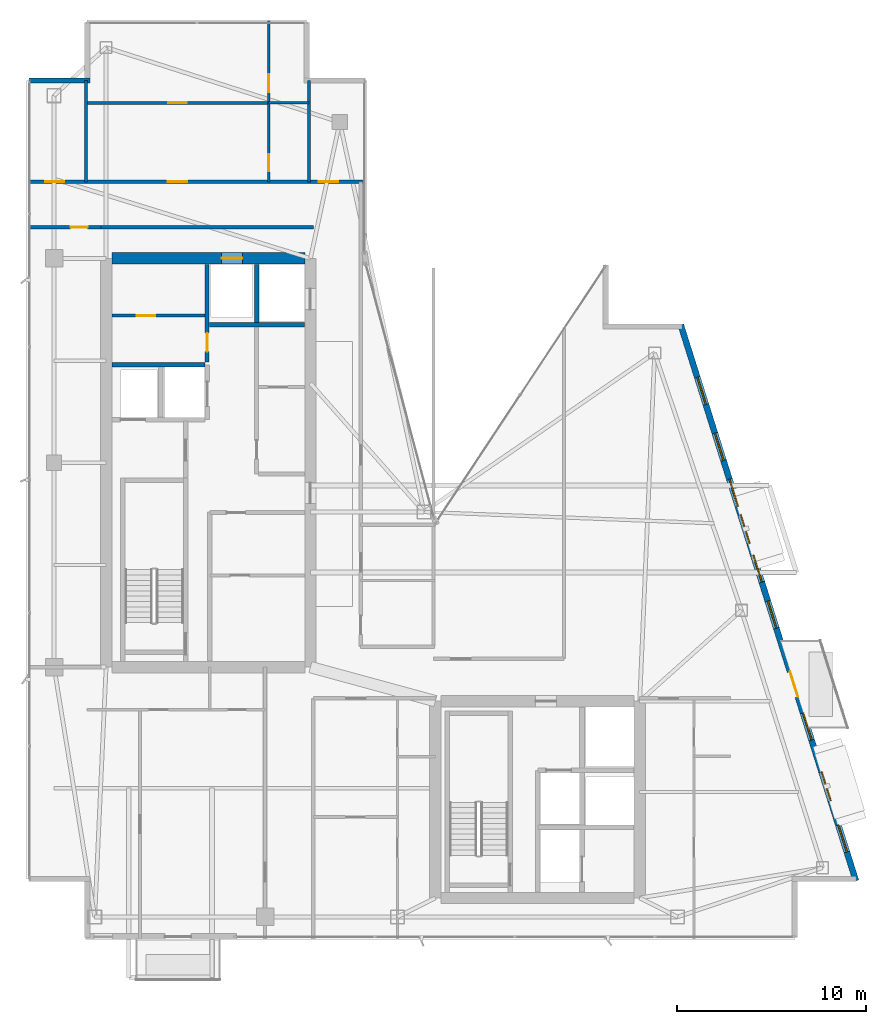
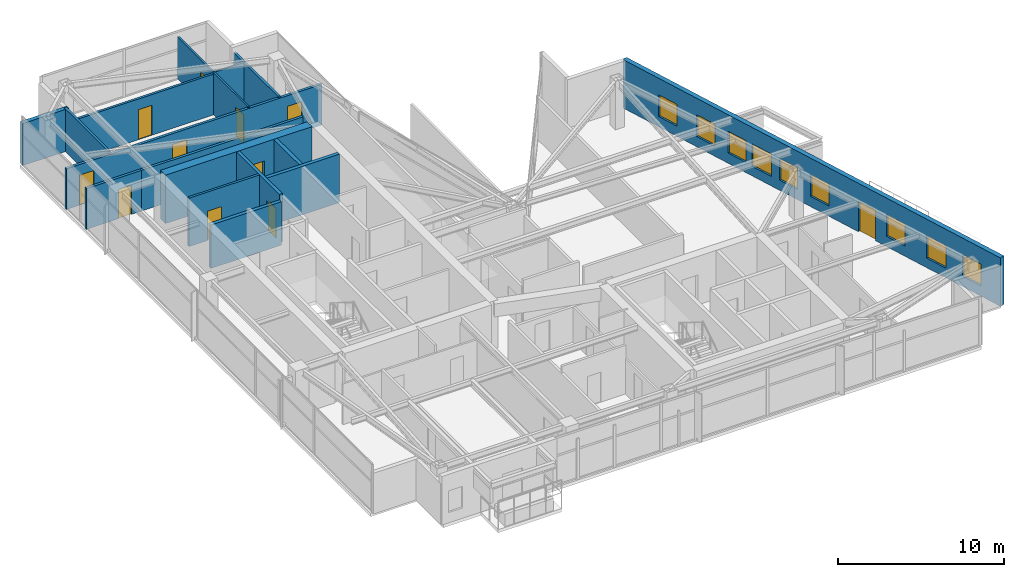
# One storey, part 25 of 28: 16 walls, 11 doors, 9 windows, 20 openings.
"""IFC4 building model written with IfcOpenShell, lengths in metres."""

from ifc_helpers import new_model, si_unit, direction, frame, frame_2d, origin, place, context, subcontext, project, spatial, rectangle, extrude, material, layer, layer_set, type_object, element, fill, save


model = new_model("IFC4")

# Units and contexts
model_context = context("Model", 3, precision=1e-05, world=origin(), true_north=direction((0.0, 1.0)))
body_context = subcontext(model_context, "Body", "Model", "MODEL_VIEW")
ifc_project = project(units=[si_unit("LENGTHUNIT", "METRE"), si_unit("AREAUNIT", "SQUARE_METRE"), si_unit("VOLUMEUNIT", "CUBIC_METRE"), si_unit("PLANEANGLEUNIT", "RADIAN"), si_unit("MASSUNIT", "GRAM", prefix="KILO")], contexts=[model_context])

# Site, building, storey
site_placement = place(None, origin())
site = spatial("IfcSite", under=ifc_project, at=site_placement, CompositionType="ELEMENT")
building_placement = place(site_placement, origin())
building = spatial("IfcBuilding", under=site, at=building_placement, Name="Calvorn Quay Hotel", CompositionType="ELEMENT")
storey_placement = place(building_placement, frame((0.0, 0.0, 274.89990234375)))
storey = spatial("IfcBuildingStorey", under=building, at=storey_placement, Name="L68", CompositionType="ELEMENT", Elevation=274.89990234375)

# Wall, opening, door
ifc_material_1 = material(Name="Concrete C45", Category="concrete")
ifc_layer_1 = layer(ifc_material_1, 0.60009765625)
ifc_layer_set_1 = layer_set([ifc_layer_1], Name="WL-CORE-600")
wall_type_1 = type_object("IfcWallType", Name="WL-CORE-600", PredefinedType="SHEAR", material=ifc_layer_set_1)
wall_1_placement = place(storey_placement, frame((4.5, 38.39990234375, 0.0), z_axis=(0.0, 0.0, 1.0), x_axis=(1.0, 0.0, 0.0)))
wall_1 = element("IfcWall", 1, at=wall_1_placement, inside=storey, type_object=wall_type_1, Name="West Core Shear Wall N (L68)", PredefinedType="SHEAR", context=body_context, shape_type="SweptSolid", body=[
    extrude(rectangle(XDim=10.199951171875, YDim=0.60009765625, at=frame_2d((5.10009765625, 0.0))), origin(), (0.0, 0.0, 1.0), 3.56005859375),
])
opening_1_placement = place(wall_1_placement, frame((5.800048828125, 0.0, 0.0)))
opening_1 = element("IfcOpeningElement", 2, at=opening_1_placement, cuts=wall_1, Name="Opening LD-L68-H2", PredefinedType="OPENING", context=body_context, shape_type="SweptSolid", body=[
    extrude(rectangle(XDim=1.10009765625, YDim=2.199951171875, at=frame_2d((0.550048828125, 1.10009765625))), frame((0.0, 0.31005859375, 0.0), z_axis=(0.0, -1.0, 0.0), x_axis=(1.0, 0.0, 0.0)), (0.0, 0.0, 1.0), 0.6201171875),
])
ifc_material_2 = material(Name="Brushed Stainless Steel Sliding Lift Landing Door", Category="steel")
door_type_1 = type_object("IfcDoorType", Name="DR-LIFT-PASS-1100", OperationType="NOTDEFINED", PredefinedType="DOOR", material=ifc_material_2)
door_1_placement = place(opening_1_placement, origin())
door_1 = element("IfcDoor", 3, at=door_1_placement, inside=storey, type_object=door_type_1, Name="High-Rise Lift PL-H2 Landing Door (L68)", OperationType="DOUBLE_DOOR_SLIDING", OverallHeight=2.199951171875, OverallWidth=1.10009765625, PredefinedType="DOOR", context=body_context, shape_type="SweptSolid", body=[
    extrude(rectangle(XDim=1.10009765625, YDim=2.199951171875, at=frame_2d((0.550048828125, 1.10009765625))), frame((0.0, 0.02490234375, 0.0), z_axis=(0.0, -1.0, 0.0), x_axis=(1.0, 0.0, 0.0)), (0.0, 0.0, 1.0), 0.050048828125),
])
fill(opening_1, door_1)

ifc_material_3 = material(Name="Acoustic Fireboard Steel-Stud Partition", Category="steel")
ifc_layer_2 = layer(ifc_material_3, 0.179931640625)
ifc_layer_set_2 = layer_set([ifc_layer_2], Name="WL-CORR-FIRE-180")
wall_type_2 = type_object("IfcWallType", Name="WL-CORR-FIRE-180", PredefinedType="PARTITIONING", material=ifc_layer_set_2)
wall_2_placement = place(storey_placement, frame((0.080078125, 40.050048828125, 0.0), z_axis=(0.0, 0.0, 1.0), x_axis=(1.0, 0.0, 0.0)))
wall_2 = element("IfcWall", 4, at=wall_2_placement, inside=storey, type_object=wall_type_2, Name="Partition Wall L68-WL-WBAY-N-DOOR", PredefinedType="PARTITIONING", context=body_context, shape_type="SweptSolid", body=[
    extrude(rectangle(XDim=3.849853515625, YDim=0.179931640625, at=frame_2d((1.9248046875, 0.0))), origin(), (0.0, 0.0, 1.0), 2.989990234375),
])
opening_2_placement = place(wall_2_placement, frame((2.25, 0.0, 0.0)))
opening_2 = element("IfcOpeningElement", 5, at=opening_2_placement, cuts=wall_2, Name="Opening D-L68-WBN", PredefinedType="OPENING", context=body_context, shape_type="SweptSolid", body=[
    extrude(rectangle(XDim=0.89990234375, YDim=2.14990234375, at=frame_2d((0.449951171875, 1.074951171875))), frame((0.0, 0.099853515625, 0.0), z_axis=(0.0, -1.0, 0.0), x_axis=(1.0, 0.0, 0.0)), (0.0, 0.0, 1.0), 0.199951171875),
])
ifc_material_4 = material(Name="Moisture-Sealed Timber En-Suite Door", Category="wood")
door_type_2 = type_object("IfcDoorType", Name="DR-ENSUITE-900", OperationType="NOTDEFINED", PredefinedType="DOOR", material=ifc_material_4)
door_2_placement = place(opening_2_placement, origin())
door_2 = element("IfcDoor", 6, at=door_2_placement, inside=storey, type_object=door_type_2, Name="West North Bay Door (L68)", OperationType="SINGLE_SWING_LEFT", OverallHeight=2.14990234375, OverallWidth=0.89990234375, PredefinedType="DOOR", context=body_context, shape_type="SweptSolid", body=[
    extrude(rectangle(XDim=0.89990234375, YDim=2.14990234375, at=frame_2d((0.449951171875, 1.074951171875))), frame((0.0, 0.02490234375, 0.0), z_axis=(0.0, -1.0, 0.0), x_axis=(1.0, 0.0, 0.0)), (0.0, 0.0, 1.0), 0.050048828125),
])
fill(opening_2, door_2)

# Wall, openings, doors
wall_3_placement = place(storey_placement, frame((0.080078125, 42.449951171875, 0.0), z_axis=(0.0, 0.0, 1.0), x_axis=(1.0, 0.0, 0.0)))
wall_3 = element("IfcWall", 7, at=wall_3_placement, inside=storey, type_object=wall_type_2, Name="Partition Wall L68-WL-CORR-NW-N", PredefinedType="PARTITIONING", context=body_context, shape_type="SweptSolid", body=[
    extrude(rectangle(XDim=17.77001953125, YDim=0.179931640625, at=frame_2d((8.885009765625, 0.0))), origin(), (0.0, 0.0, 1.0), 2.989990234375),
])
opening_3_placement = place(wall_3_placement, frame((0.89990234375, 0.0, 0.0)))
opening_3 = element("IfcOpeningElement", 8, at=opening_3_placement, cuts=wall_3, Name="Opening D-L68-NWW", PredefinedType="OPENING", context=body_context, shape_type="SweptSolid", body=[
    extrude(rectangle(XDim=1.02001953125, YDim=2.199951171875, at=frame_2d((0.510009765625, 1.10009765625))), frame((0.0, 0.099853515625, 0.0), z_axis=(0.0, -1.0, 0.0), x_axis=(1.0, 0.0, 0.0)), (0.0, 0.0, 1.0), 0.199951171875),
])
opening_4_placement = place(wall_3_placement, frame((7.3798828125, 0.0, 0.0)))
opening_4 = element("IfcOpeningElement", 9, at=opening_4_placement, cuts=wall_3, Name="Opening D-L68-U03", PredefinedType="OPENING", context=body_context, shape_type="SweptSolid", body=[
    extrude(rectangle(XDim=1.02001953125, YDim=2.199951171875, at=frame_2d((0.510009765625, 1.10009765625))), frame((0.0, 0.099853515625, 0.0), z_axis=(0.0, -1.0, 0.0), x_axis=(1.0, 0.0, 0.0)), (0.0, 0.0, 1.0), 0.199951171875),
])
opening_5_placement = place(wall_3_placement, frame((15.3701171875, 0.0, 0.0)))
opening_5 = element("IfcOpeningElement", 10, at=opening_5_placement, cuts=wall_3, Name="Opening D-L68-NWE", PredefinedType="OPENING", context=body_context, shape_type="SweptSolid", body=[
    extrude(rectangle(XDim=1.02001953125, YDim=2.199951171875, at=frame_2d((0.510009765625, 1.10009765625))), frame((0.0, 0.099853515625, 0.0), z_axis=(0.0, -1.0, 0.0), x_axis=(1.0, 0.0, 0.0)), (0.0, 0.0, 1.0), 0.199951171875),
])
ifc_material_5 = material(Name="Solid-Core Walnut Veneer Hotel Fire Door")
door_type_3 = type_object("IfcDoorType", Name="DR-GUEST-ENTRY-1020", OperationType="NOTDEFINED", PredefinedType="DOOR", material=ifc_material_5)
door_3_placement = place(opening_3_placement, origin())
door_3 = element("IfcDoor", 11, at=door_3_placement, inside=storey, type_object=door_type_3, Name="West Corner Study Door (L68)", OperationType="SINGLE_SWING_LEFT", OverallHeight=2.199951171875, OverallWidth=1.02001953125, PredefinedType="DOOR", context=body_context, shape_type="SweptSolid", body=[
    extrude(rectangle(XDim=1.02001953125, YDim=2.199951171875, at=frame_2d((0.510009765625, 1.10009765625))), frame((0.0, 0.02490234375, 0.0), z_axis=(0.0, -1.0, 0.0), x_axis=(1.0, 0.0, 0.0)), (0.0, 0.0, 1.0), 0.050048828125),
])
fill(opening_3, door_3)
door_4_placement = place(opening_4_placement, origin())
door_4 = element("IfcDoor", 12, at=door_4_placement, inside=storey, type_object=door_type_3, Name="North-West Unit Door U03 (L68)", OperationType="SINGLE_SWING_RIGHT", OverallHeight=2.199951171875, OverallWidth=1.02001953125, PredefinedType="DOOR", context=body_context, shape_type="SweptSolid", body=[
    extrude(rectangle(XDim=1.02001953125, YDim=2.199951171875, at=frame_2d((0.510009765625, 1.10009765625))), frame((0.0, 0.02490234375, 0.0), z_axis=(0.0, -1.0, 0.0), x_axis=(1.0, 0.0, 0.0)), (0.0, 0.0, 1.0), 0.050048828125),
])
fill(opening_4, door_4)
door_5_placement = place(opening_5_placement, origin())
door_5 = element("IfcDoor", 13, at=door_5_placement, inside=storey, type_object=door_type_3, Name="Inner Court Study Door (L68)", OperationType="SINGLE_SWING_RIGHT", OverallHeight=2.199951171875, OverallWidth=1.02001953125, PredefinedType="DOOR", context=body_context, shape_type="SweptSolid", body=[
    extrude(rectangle(XDim=1.02001953125, YDim=2.199951171875, at=frame_2d((0.510009765625, 1.10009765625))), frame((0.0, 0.02490234375, 0.0), z_axis=(0.0, -1.0, 0.0), x_axis=(1.0, 0.0, 0.0)), (0.0, 0.0, 1.0), 0.050048828125),
])
fill(opening_5, door_5)

# Walls
wall_4_placement = place(storey_placement, frame((3.8798828125, 40.050048828125, 0.0), z_axis=(0.0, 0.0, 1.0), x_axis=(1.0, 0.0, 0.0)))
element("IfcWall", 14, at=wall_4_placement, inside=storey, type_object=wall_type_2, Name="Partition Wall L68-WL-W-SPUR-S", PredefinedType="PARTITIONING", context=body_context, shape_type="SweptSolid", body=[
    extrude(rectangle(XDim=11.27001953125, YDim=0.179931640625, at=frame_2d((5.635009765625, 0.0))), origin(), (0.0, 0.0, 1.0), 2.989990234375),
])
ifc_material_6 = material(Name="Moisture-Resistant Tile-Backed Partition")
ifc_layer_3 = layer(ifc_material_6, 0.125)
ifc_layer_set_3 = layer_set([ifc_layer_3], Name="WL-ENSUITE-125")
wall_type_3 = type_object("IfcWallType", Name="WL-ENSUITE-125", PredefinedType="PARTITIONING", material=ifc_layer_set_3)
wall_5_placement = place(storey_placement, frame((12.7900390625, 46.6201171875, 0.0), z_axis=(0.0, 0.0, 1.0), x_axis=(1.0, 0.0, 0.0)))
element("IfcWall", 15, at=wall_5_placement, inside=storey, type_object=wall_type_3, Name="Partition Wall L68-WL-U03-BDV", PredefinedType="PARTITIONING", context=body_context, shape_type="SweptSolid", body=[
    extrude(rectangle(XDim=2.1298828125, YDim=0.125, at=frame_2d((1.06494140625, 0.0))), origin(), (0.0, 0.0, 1.0), 3.090087890625),
])

# Wall, openings, doors
wall_6_placement = place(storey_placement, frame((12.7900390625, 42.449951171875, 0.0), z_axis=(0.0, 0.0, 1.0), x_axis=(0.0, 1.0, 0.0)))
wall_6 = element("IfcWall", 16, at=wall_6_placement, inside=storey, type_object=wall_type_3, Name="Partition Wall L68-WL-U03-BV", PredefinedType="PARTITIONING", context=body_context, shape_type="SweptSolid", body=[
    extrude(rectangle(XDim=8.489990234375, YDim=0.125, at=frame_2d((4.2451171875, 0.0))), origin(), (0.0, 0.0, 1.0), 3.090087890625),
])
opening_6_placement = place(wall_6_placement, frame((0.550048828125, 0.0, 0.0)))
opening_6 = element("IfcOpeningElement", 17, at=opening_6_placement, cuts=wall_6, Name="Opening D-L68-E03", PredefinedType="OPENING", context=body_context, shape_type="SweptSolid", body=[
    extrude(rectangle(XDim=0.89990234375, YDim=2.14990234375, at=frame_2d((0.449951171875, 1.074951171875))), frame((0.0, 0.072509765625, 0.0), z_axis=(0.0, -1.0, 0.0), x_axis=(1.0, 0.0, 0.0)), (0.0, 0.0, 1.0), 0.14501953125),
])
opening_7_placement = place(wall_6_placement, frame((4.719970703125, 0.0, 0.0)))
opening_7 = element("IfcOpeningElement", 18, at=opening_7_placement, cuts=wall_6, Name="Opening D-L68-S03", PredefinedType="OPENING", context=body_context, shape_type="SweptSolid", body=[
    extrude(rectangle(XDim=0.9599609375, YDim=2.199951171875, at=frame_2d((0.47998046875, 1.10009765625))), frame((0.0, 0.072509765625, 0.0), z_axis=(0.0, -1.0, 0.0), x_axis=(1.0, 0.0, 0.0)), (0.0, 0.0, 1.0), 0.14501953125),
])
door_6_placement = place(opening_6_placement, origin())
door_6 = element("IfcDoor", 19, at=door_6_placement, inside=storey, type_object=door_type_2, Name="En-Suite Door 03", OperationType="SINGLE_SWING_LEFT", OverallHeight=2.14990234375, OverallWidth=0.89990234375, PredefinedType="DOOR", context=body_context, shape_type="SweptSolid", body=[
    extrude(rectangle(XDim=0.89990234375, YDim=2.14990234375, at=frame_2d((0.449951171875, 1.074951171875))), frame((0.0, 0.02490234375, 0.0), z_axis=(0.0, -1.0, 0.0), x_axis=(1.0, 0.0, 0.0)), (0.0, 0.0, 1.0), 0.050048828125),
])
fill(opening_6, door_6)
ifc_material_7 = material(Name="Solid Timber Internal Suite Door", Category="wood")
door_type_4 = type_object("IfcDoorType", Name="DR-SUITE-INT-960", OperationType="NOTDEFINED", PredefinedType="DOOR", material=ifc_material_7)
door_7_placement = place(opening_7_placement, origin())
door_7 = element("IfcDoor", 20, at=door_7_placement, inside=storey, type_object=door_type_4, Name="Executive Study Door 03", OperationType="SINGLE_SWING_RIGHT", OverallHeight=2.199951171875, OverallWidth=0.9599609375, PredefinedType="DOOR", context=body_context, shape_type="SweptSolid", body=[
    extrude(rectangle(XDim=0.9599609375, YDim=2.199951171875, at=frame_2d((0.47998046875, 1.10009765625))), frame((0.0, 0.02490234375, 0.0), z_axis=(0.0, -1.0, 0.0), x_axis=(1.0, 0.0, 0.0)), (0.0, 0.0, 1.0), 0.050048828125),
])
fill(opening_7, door_7)

# Wall
ifc_material_8 = material(Name="Concrete C40", Category="concrete")
ifc_layer_4 = layer(ifc_material_8, 0.320068359375)
ifc_layer_set_4 = layer_set([ifc_layer_4], Name="WL-EXT-SPANDREL-320")
wall_type_4 = type_object("IfcWallType", Name="WL-EXT-SPANDREL-320", PredefinedType="SOLIDWALL", material=ifc_layer_set_4)
wall_7_placement = place(storey_placement, frame((3.340087890625, 47.800048828125, 0.0), z_axis=(0.0, 0.0, 1.0), x_axis=(-1.0, 0.0, 0.0)))
element("IfcWall", 21, at=wall_7_placement, inside=storey, type_object=wall_type_4, Name="Notched Corner Spandrel L68-NW2", PredefinedType="SOLIDWALL", context=body_context, shape_type="SweptSolid", body=[
    extrude(rectangle(XDim=3.219970703125, YDim=0.280029296875, at=frame_2d((1.60986328125, 0.0))), origin(), (0.0, 0.0, 1.0), 3.090087890625),
])

# Wall, openings, door, windows
wall_8_placement = place(storey_placement, frame((43.830078125, 5.5048828125, 0.0), z_axis=(0.0, 0.0, 1.0), x_axis=(-0.300509063924, 0.953778958931, 0.0)))
wall_8 = element("IfcWall", 22, at=wall_8_placement, inside=storey, type_object=wall_type_4, Name="East Stepped Waterfront Exterior Wall (L68)", PredefinedType="SOLIDWALL", context=body_context, shape_type="SweptSolid", body=[
    extrude(rectangle(XDim=30.814453125, YDim=0.320068359375, at=frame_2d((15.4072265625, 0.0))), origin(), (0.0, 0.0, 1.0), 3.56005859375),
])
opening_8_placement = place(wall_8_placement, frame((10.198974609375, 0.0, 0.0)))
opening_8 = element("IfcOpeningElement", 23, at=opening_8_placement, cuts=wall_8, Name="Opening DB-L68-1", PredefinedType="OPENING", context=body_context, shape_type="SweptSolid", body=[
    extrude(rectangle(XDim=1.39990234375, YDim=2.25, at=frame_2d((0.699951171875, 1.125))), frame((0.0, 0.169921875, 0.0), z_axis=(0.0, -1.0, 0.0), x_axis=(1.0, 0.0, 0.0)), (0.0, 0.0, 1.0), 0.340087890625),
])
opening_9_placement = place(wall_8_placement, frame((4.43701171875, 0.0, 0.699951171875)))
opening_9 = element("IfcOpeningElement", 24, at=opening_9_placement, cuts=wall_8, Name="Opening WHD-L68-1", PredefinedType="OPENING", context=body_context, shape_type="SweptSolid", body=[
    extrude(rectangle(XDim=1.60009765625, YDim=1.64990234375, at=frame_2d((0.800048828125, 0.824951171875))), frame((0.0, 0.169921875, 0.0), z_axis=(0.0, -1.0, 0.0), x_axis=(1.0, 0.0, 0.0)), (0.0, 0.0, 1.0), 0.340087890625),
])
opening_10_placement = place(wall_8_placement, frame((18.696044921875, 0.0, 0.699951171875)))
opening_10 = element("IfcOpeningElement", 25, at=opening_10_placement, cuts=wall_8, Name="Opening WHD-L68-2", PredefinedType="OPENING", context=body_context, shape_type="SweptSolid", body=[
    extrude(rectangle(XDim=1.60009765625, YDim=1.64990234375, at=frame_2d((0.800048828125, 0.824951171875))), frame((0.0, 0.169921875, 0.0), z_axis=(0.0, -1.0, 0.0), x_axis=(1.0, 0.0, 0.0)), (0.0, 0.0, 1.0), 0.340087890625),
])
opening_11_placement = place(wall_8_placement, frame((1.60009765625, 0.0, 0.75)))
opening_11 = element("IfcOpeningElement", 26, at=opening_11_placement, cuts=wall_8, Name="Opening WG-L68-E1", PredefinedType="OPENING", context=body_context, shape_type="SweptSolid", body=[
    extrude(rectangle(XDim=1.5, YDim=1.60009765625, at=frame_2d((0.75, 0.800048828125))), frame((0.0, 0.169921875, 0.0), z_axis=(0.0, -1.0, 0.0), x_axis=(1.0, 0.0, 0.0)), (0.0, 0.0, 1.0), 0.340087890625),
])
opening_12_placement = place(wall_8_placement, frame((7.800048828125, 0.0, 0.75)))
opening_12 = element("IfcOpeningElement", 27, at=opening_12_placement, cuts=wall_8, Name="Opening WG-L68-E2", PredefinedType="OPENING", context=body_context, shape_type="SweptSolid", body=[
    extrude(rectangle(XDim=1.5, YDim=1.60009765625, at=frame_2d((0.75, 0.800048828125))), frame((0.0, 0.169921875, 0.0), z_axis=(0.0, -1.0, 0.0), x_axis=(1.0, 0.0, 0.0)), (0.0, 0.0, 1.0), 0.340087890625),
])
opening_13_placement = place(wall_8_placement, frame((14.0, 0.0, 0.75)))
opening_13 = element("IfcOpeningElement", 28, at=opening_13_placement, cuts=wall_8, Name="Opening WG-L68-E3", PredefinedType="OPENING", context=body_context, shape_type="SweptSolid", body=[
    extrude(rectangle(XDim=1.5, YDim=1.60009765625, at=frame_2d((0.75, 0.800048828125))), frame((0.0, 0.169921875, 0.0), z_axis=(0.0, -1.0, 0.0), x_axis=(1.0, 0.0, 0.0)), (0.0, 0.0, 1.0), 0.340087890625),
])
opening_14_placement = place(wall_8_placement, frame((16.550048828125, 0.0, 0.75)))
opening_14 = element("IfcOpeningElement", 29, at=opening_14_placement, cuts=wall_8, Name="Opening WG-L68-E4", PredefinedType="OPENING", context=body_context, shape_type="SweptSolid", body=[
    extrude(rectangle(XDim=1.5, YDim=1.60009765625, at=frame_2d((0.75, 0.800048828125))), frame((0.0, 0.169921875, 0.0), z_axis=(0.0, -1.0, 0.0), x_axis=(1.0, 0.0, 0.0)), (0.0, 0.0, 1.0), 0.340087890625),
])
opening_15_placement = place(wall_8_placement, frame((20.75, 0.0, 0.75)))
opening_15 = element("IfcOpeningElement", 30, at=opening_15_placement, cuts=wall_8, Name="Opening WG-L68-E5", PredefinedType="OPENING", context=body_context, shape_type="SweptSolid", body=[
    extrude(rectangle(XDim=1.5, YDim=1.60009765625, at=frame_2d((0.75, 0.800048828125))), frame((0.0, 0.169921875, 0.0), z_axis=(0.0, -1.0, 0.0), x_axis=(1.0, 0.0, 0.0)), (0.0, 0.0, 1.0), 0.340087890625),
])
opening_16_placement = place(wall_8_placement, frame((23.300048828125, 0.0, 0.75)))
opening_16 = element("IfcOpeningElement", 31, at=opening_16_placement, cuts=wall_8, Name="Opening WG-L68-E6", PredefinedType="OPENING", context=body_context, shape_type="SweptSolid", body=[
    extrude(rectangle(XDim=1.5, YDim=1.60009765625, at=frame_2d((0.75, 0.800048828125))), frame((0.0, 0.169921875, 0.0), z_axis=(0.0, -1.0, 0.0), x_axis=(1.0, 0.0, 0.0)), (0.0, 0.0, 1.0), 0.340087890625),
])
opening_17_placement = place(wall_8_placement, frame((26.39990234375, 0.0, 0.75)))
opening_17 = element("IfcOpeningElement", 32, at=opening_17_placement, cuts=wall_8, Name="Opening WG-L68-E7", PredefinedType="OPENING", context=body_context, shape_type="SweptSolid", body=[
    extrude(rectangle(XDim=1.5, YDim=1.60009765625, at=frame_2d((0.75, 0.800048828125))), frame((0.0, 0.169921875, 0.0), z_axis=(0.0, -1.0, 0.0), x_axis=(1.0, 0.0, 0.0)), (0.0, 0.0, 1.0), 0.340087890625),
])
ifc_material_9 = material(Name="Typhoon-Rated Low-E Aluminium Terrace Door", Category="aluminium")
door_type_5 = type_object("IfcDoorType", Name="DR-BALCONY-GLZ-1400", OperationType="NOTDEFINED", PredefinedType="DOOR", material=ifc_material_9)
door_8_placement = place(opening_8_placement, origin())
door_8 = element("IfcDoor", 33, at=door_8_placement, inside=storey, type_object=door_type_5, Name="Tree Balcony Terrace Door L68-BALC-E", OperationType="SINGLE_SWING_LEFT", OverallHeight=2.25, OverallWidth=1.39990234375, PredefinedType="DOOR", context=body_context, shape_type="SweptSolid", body=[
    extrude(rectangle(XDim=1.39990234375, YDim=2.25, at=frame_2d((0.699951171875, 1.125))), frame((0.0, 0.02490234375, 0.0), z_axis=(0.0, -1.0, 0.0), x_axis=(1.0, 0.0, 0.0)), (0.0, 0.0, 1.0), 0.050048828125),
])
fill(opening_8, door_8)
ifc_material_10 = material(Name="Champagne-Bronze Aluminium Low-E Window", Category="aluminium")
window_type_1 = type_object("IfcWindowType", Name="WIN-GUEST-SIDE-1600x2100", PartitioningType="SINGLE_PANEL", PredefinedType="WINDOW", material=ifc_material_10)
window_1_placement = place(opening_9_placement, origin())
window_1 = element("IfcWindow", 34, at=window_1_placement, inside=storey, type_object=window_type_1, Name="Bay Hood Window L68-HOOD-1", OverallHeight=1.64990234375, OverallWidth=1.60009765625, PartitioningType="SINGLE_PANEL", PredefinedType="WINDOW", context=body_context, shape_type="SweptSolid", body=[
    extrude(rectangle(XDim=1.60009765625, YDim=1.64990234375, at=frame_2d((0.800048828125, 0.824951171875))), frame((0.0, 0.030029296875, 0.0), z_axis=(0.0, -1.0, 0.0), x_axis=(1.0, 0.0, 0.0)), (0.0, 0.0, 1.0), 0.06005859375),
])
fill(opening_9, window_1)
window_2_placement = place(opening_10_placement, origin())
window_2 = element("IfcWindow", 35, at=window_2_placement, inside=storey, type_object=window_type_1, Name="Bay Hood Window L68-HOOD-3", OverallHeight=1.64990234375, OverallWidth=1.60009765625, PartitioningType="SINGLE_PANEL", PredefinedType="WINDOW", context=body_context, shape_type="SweptSolid", body=[
    extrude(rectangle(XDim=1.60009765625, YDim=1.64990234375, at=frame_2d((0.800048828125, 0.824951171875))), frame((0.0, 0.030029296875, 0.0), z_axis=(0.0, -1.0, 0.0), x_axis=(1.0, 0.0, 0.0)), (0.0, 0.0, 1.0), 0.06005859375),
])
fill(opening_10, window_2)
ifc_material_11 = material(Name="Self-Closing Class B Fire Window")
window_type_2 = type_object("IfcWindowType", Name="WIN-REFUGE-1500x1600", PartitioningType="SINGLE_PANEL", PredefinedType="WINDOW", material=ifc_material_11)
window_3_placement = place(opening_11_placement, origin())
window_3 = element("IfcWindow", 36, at=window_3_placement, inside=storey, type_object=window_type_2, Name="East Facade Window L68-E1", OverallHeight=1.60009765625, OverallWidth=1.5, PartitioningType="SINGLE_PANEL", PredefinedType="WINDOW", context=body_context, shape_type="SweptSolid", body=[
    extrude(rectangle(XDim=1.5, YDim=1.60009765625, at=frame_2d((0.75, 0.800048828125))), frame((0.0, 0.030029296875, 0.0), z_axis=(0.0, -1.0, 0.0), x_axis=(1.0, 0.0, 0.0)), (0.0, 0.0, 1.0), 0.06005859375),
])
fill(opening_11, window_3)
window_4_placement = place(opening_12_placement, origin())
window_4 = element("IfcWindow", 37, at=window_4_placement, inside=storey, type_object=window_type_2, Name="East Facade Window L68-E2", OverallHeight=1.60009765625, OverallWidth=1.5, PartitioningType="SINGLE_PANEL", PredefinedType="WINDOW", context=body_context, shape_type="SweptSolid", body=[
    extrude(rectangle(XDim=1.5, YDim=1.60009765625, at=frame_2d((0.75, 0.800048828125))), frame((0.0, 0.030029296875, 0.0), z_axis=(0.0, -1.0, 0.0), x_axis=(1.0, 0.0, 0.0)), (0.0, 0.0, 1.0), 0.06005859375),
])
fill(opening_12, window_4)
window_5_placement = place(opening_13_placement, origin())
window_5 = element("IfcWindow", 38, at=window_5_placement, inside=storey, type_object=window_type_2, Name="East Facade Window L68-E3", OverallHeight=1.60009765625, OverallWidth=1.5, PartitioningType="SINGLE_PANEL", PredefinedType="WINDOW", context=body_context, shape_type="SweptSolid", body=[
    extrude(rectangle(XDim=1.5, YDim=1.60009765625, at=frame_2d((0.75, 0.800048828125))), frame((0.0, 0.030029296875, 0.0), z_axis=(0.0, -1.0, 0.0), x_axis=(1.0, 0.0, 0.0)), (0.0, 0.0, 1.0), 0.06005859375),
])
fill(opening_13, window_5)
window_6_placement = place(opening_14_placement, origin())
window_6 = element("IfcWindow", 39, at=window_6_placement, inside=storey, type_object=window_type_2, Name="East Facade Window L68-E4", OverallHeight=1.60009765625, OverallWidth=1.5, PartitioningType="SINGLE_PANEL", PredefinedType="WINDOW", context=body_context, shape_type="SweptSolid", body=[
    extrude(rectangle(XDim=1.5, YDim=1.60009765625, at=frame_2d((0.75, 0.800048828125))), frame((0.0, 0.030029296875, 0.0), z_axis=(0.0, -1.0, 0.0), x_axis=(1.0, 0.0, 0.0)), (0.0, 0.0, 1.0), 0.06005859375),
])
fill(opening_14, window_6)
window_7_placement = place(opening_15_placement, origin())
window_7 = element("IfcWindow", 40, at=window_7_placement, inside=storey, type_object=window_type_2, Name="East Facade Window L68-E5", OverallHeight=1.60009765625, OverallWidth=1.5, PartitioningType="SINGLE_PANEL", PredefinedType="WINDOW", context=body_context, shape_type="SweptSolid", body=[
    extrude(rectangle(XDim=1.5, YDim=1.60009765625, at=frame_2d((0.75, 0.800048828125))), frame((0.0, 0.030029296875, 0.0), z_axis=(0.0, -1.0, 0.0), x_axis=(1.0, 0.0, 0.0)), (0.0, 0.0, 1.0), 0.06005859375),
])
fill(opening_15, window_7)
window_8_placement = place(opening_16_placement, origin())
window_8 = element("IfcWindow", 41, at=window_8_placement, inside=storey, type_object=window_type_2, Name="East Facade Window L68-E6", OverallHeight=1.60009765625, OverallWidth=1.5, PartitioningType="SINGLE_PANEL", PredefinedType="WINDOW", context=body_context, shape_type="SweptSolid", body=[
    extrude(rectangle(XDim=1.5, YDim=1.60009765625, at=frame_2d((0.75, 0.800048828125))), frame((0.0, 0.030029296875, 0.0), z_axis=(0.0, -1.0, 0.0), x_axis=(1.0, 0.0, 0.0)), (0.0, 0.0, 1.0), 0.06005859375),
])
fill(opening_16, window_8)
window_9_placement = place(opening_17_placement, origin())
window_9 = element("IfcWindow", 42, at=window_9_placement, inside=storey, type_object=window_type_2, Name="East Facade Window L68-E7", OverallHeight=1.60009765625, OverallWidth=1.5, PartitioningType="SINGLE_PANEL", PredefinedType="WINDOW", context=body_context, shape_type="SweptSolid", body=[
    extrude(rectangle(XDim=1.5, YDim=1.60009765625, at=frame_2d((0.75, 0.800048828125))), frame((0.0, 0.030029296875, 0.0), z_axis=(0.0, -1.0, 0.0), x_axis=(1.0, 0.0, 0.0)), (0.0, 0.0, 1.0), 0.06005859375),
])
fill(opening_17, window_9)

# Wall, opening, door
ifc_material_12 = material(Name="Double-Stud Acoustic Gypsum Partition")
ifc_layer_5 = layer(ifc_material_12, 0.159912109375)
ifc_layer_set_5 = layer_set([ifc_layer_5], Name="WL-INTERSUITE-160")
wall_type_5 = type_object("IfcWallType", Name="WL-INTERSUITE-160", PredefinedType="PARTITIONING", material=ifc_layer_set_5)
wall_9_placement = place(storey_placement, frame((4.52001953125, 35.3798828125, 0.0), z_axis=(0.0, 0.0, 1.0), x_axis=(1.0, 0.0, 0.0)))
wall_9 = element("IfcWall", 43, at=wall_9_placement, inside=storey, type_object=wall_type_5, Name="Partition Wall L68-WL-CWW-K-MID", PredefinedType="PARTITIONING", context=body_context, shape_type="SweptSolid", body=[
    extrude(rectangle(XDim=4.89990234375, YDim=0.159912109375, at=frame_2d((2.449951171875, 0.0))), origin(), (0.0, 0.0, 1.0), 3.56005859375),
])
opening_18_placement = place(wall_9_placement, frame((1.300048828125, 0.0, 0.0)))
opening_18 = element("IfcOpeningElement", 44, at=opening_18_placement, cuts=wall_9, Name="Opening D-L68-CK2", PredefinedType="OPENING", context=body_context, shape_type="SweptSolid", body=[
    extrude(rectangle(XDim=0.97998046875, YDim=2.14990234375, at=frame_2d((0.489990234375, 1.074951171875))), frame((0.0, 0.08984375, 0.0), z_axis=(0.0, -1.0, 0.0), x_axis=(1.0, 0.0, 0.0)), (0.0, 0.0, 1.0), 0.179931640625),
])
ifc_material_13 = material(Name="Painted Steel Housekeeping/Riser Fire Door", Category="steel")
door_type_6 = type_object("IfcDoorType", Name="DR-SERVICE-980", OperationType="NOTDEFINED", PredefinedType="DOOR", material=ifc_material_13)
door_9_placement = place(opening_18_placement, origin())
door_9 = element("IfcDoor", 45, at=door_9_placement, inside=storey, type_object=door_type_6, Name="Electrical Riser Door (L68)", OperationType="SINGLE_SWING_RIGHT", OverallHeight=2.14990234375, OverallWidth=0.97998046875, PredefinedType="DOOR", context=body_context, shape_type="SweptSolid", body=[
    extrude(rectangle(XDim=0.97998046875, YDim=2.14990234375, at=frame_2d((0.489990234375, 1.074951171875))), frame((0.0, 0.02490234375, 0.0), z_axis=(0.0, -1.0, 0.0), x_axis=(1.0, 0.0, 0.0)), (0.0, 0.0, 1.0), 0.050048828125),
])
fill(opening_18, door_9)

# Walls
wall_10_placement = place(storey_placement, frame((3.14990234375, 42.449951171875, 0.0), z_axis=(0.0, 0.0, 1.0), x_axis=(0.0, 1.0, 0.0)))
element("IfcWall", 46, at=wall_10_placement, inside=storey, type_object=wall_type_5, Name="Partition Wall L68-WL-NW-DIV-W0", PredefinedType="PARTITIONING", context=body_context, shape_type="SweptSolid", body=[
    extrude(rectangle(XDim=5.35009765625, YDim=0.159912109375, at=frame_2d((2.675048828125, 0.0))), origin(), (0.0, 0.0, 1.0), 3.14013671875),
])
wall_11_placement = place(storey_placement, frame((14.919921875, 42.449951171875, 0.0), z_axis=(0.0, 0.0, 1.0), x_axis=(0.0, 1.0, 0.0)))
element("IfcWall", 47, at=wall_11_placement, inside=storey, type_object=wall_type_5, Name="Partition Wall L68-WL-NW-DIV-E0", PredefinedType="PARTITIONING", context=body_context, shape_type="SweptSolid", body=[
    extrude(rectangle(XDim=5.35009765625, YDim=0.159912109375, at=frame_2d((2.675048828125, 0.0))), origin(), (0.0, 0.0, 1.0), 3.090087890625),
])

# Wall, opening, door
wall_12_placement = place(storey_placement, frame((3.14990234375, 46.6201171875, 0.0), z_axis=(0.0, 0.0, 1.0), x_axis=(1.0, 0.0, 0.0)))
wall_12 = element("IfcWall", 48, at=wall_12_placement, inside=storey, type_object=wall_type_5, Name="Partition Wall L68-WL-U03-MSP", PredefinedType="PARTITIONING", context=body_context, shape_type="SweptSolid", body=[
    extrude(rectangle(XDim=9.64013671875, YDim=0.159912109375, at=frame_2d((4.820068359375, 0.0))), origin(), (0.0, 0.0, 1.0), 2.989990234375),
])
opening_19_placement = place(wall_12_placement, frame((4.340087890625, 0.0, 0.0)))
opening_19 = element("IfcOpeningElement", 49, at=opening_19_placement, cuts=wall_12, Name="Opening D-L68-M03", PredefinedType="OPENING", context=body_context, shape_type="SweptSolid", body=[
    extrude(rectangle(XDim=0.9599609375, YDim=2.199951171875, at=frame_2d((0.47998046875, 1.10009765625))), frame((0.0, 0.08984375, 0.0), z_axis=(0.0, -1.0, 0.0), x_axis=(1.0, 0.0, 0.0)), (0.0, 0.0, 1.0), 0.179931640625),
])
door_10_placement = place(opening_19_placement, origin())
door_10 = element("IfcDoor", 50, at=door_10_placement, inside=storey, type_object=door_type_4, Name="Suite Bedroom Door 03", OperationType="SINGLE_SWING_LEFT", OverallHeight=2.199951171875, OverallWidth=0.9599609375, PredefinedType="DOOR", context=body_context, shape_type="SweptSolid", body=[
    extrude(rectangle(XDim=0.9599609375, YDim=2.199951171875, at=frame_2d((0.47998046875, 1.10009765625))), frame((0.0, 0.02490234375, 0.0), z_axis=(0.0, -1.0, 0.0), x_axis=(1.0, 0.0, 0.0)), (0.0, 0.0, 1.0), 0.050048828125),
])
fill(opening_19, door_10)

ifc_material_14 = material(Name="Autoclaved Aerated Masonry Block", Category="masonry")
ifc_layer_6 = layer(ifc_material_14, 0.219970703125)
ifc_layer_set_6 = layer_set([ifc_layer_6], Name="WL-LOBBY-FIRE-220")
wall_type_6 = type_object("IfcWallType", Name="WL-LOBBY-FIRE-220", PredefinedType="SOLIDWALL", material=ifc_layer_set_6)
wall_13_placement = place(storey_placement, frame((9.5400390625, 32.919921875, 0.0), z_axis=(0.0, 0.0, 1.0), x_axis=(0.0, 1.0, 0.0)))
wall_13 = element("IfcWall", 51, at=wall_13_placement, inside=storey, type_object=wall_type_6, Name="Partition Wall L68-WL-CWW-K-E", PredefinedType="SOLIDWALL", context=body_context, shape_type="SweptSolid", body=[
    extrude(rectangle(XDim=5.16015625, YDim=0.219970703125, at=frame_2d((2.580078125, 0.0))), origin(), (0.0, 0.0, 1.0), 3.56005859375),
])
opening_20_placement = place(wall_13_placement, frame((0.550048828125, 0.0, 0.0)))
opening_20 = element("IfcOpeningElement", 52, at=opening_20_placement, cuts=wall_13, Name="Opening D-L68-CK1", PredefinedType="OPENING", context=body_context, shape_type="SweptSolid", body=[
    extrude(rectangle(XDim=0.97998046875, YDim=2.14990234375, at=frame_2d((0.489990234375, 1.074951171875))), frame((0.0, 0.119873046875, 0.0), z_axis=(0.0, -1.0, 0.0), x_axis=(1.0, 0.0, 0.0)), (0.0, 0.0, 1.0), 0.239990234375),
])
door_11_placement = place(opening_20_placement, origin())
door_11 = element("IfcDoor", 53, at=door_11_placement, inside=storey, type_object=door_type_6, Name="Core Housekeeping Door (L68)", OperationType="SINGLE_SWING_LEFT", OverallHeight=2.14990234375, OverallWidth=0.97998046875, PredefinedType="DOOR", context=body_context, shape_type="SweptSolid", body=[
    extrude(rectangle(XDim=0.97998046875, YDim=2.14990234375, at=frame_2d((0.489990234375, 1.074951171875))), frame((0.0, 0.02490234375, 0.0), z_axis=(0.0, -1.0, 0.0), x_axis=(1.0, 0.0, 0.0)), (0.0, 0.0, 1.0), 0.050048828125),
])
fill(opening_20, door_11)

# Walls
ifc_material_15 = material(Name="Concrete C40", Category="concrete")
ifc_layer_7 = layer(ifc_material_15, 0.239990234375)
ifc_layer_set_7 = layer_set([ifc_layer_7], Name="WL-SHAFT-240")
wall_type_7 = type_object("IfcWallType", Name="WL-SHAFT-240", PredefinedType="SOLIDWALL", material=ifc_layer_set_7)
wall_14_placement = place(storey_placement, frame((4.52001953125, 32.780029296875, 0.0), z_axis=(0.0, 0.0, 1.0), x_axis=(1.0, 0.0, 0.0)))
element("IfcWall", 54, at=wall_14_placement, inside=storey, type_object=wall_type_7, Name="Partition Wall L68-WL-CWW-SLW-N", PredefinedType="SOLIDWALL", context=body_context, shape_type="SweptSolid", body=[
    extrude(rectangle(XDim=4.89990234375, YDim=0.239990234375, at=frame_2d((2.449951171875, 0.0))), origin(), (0.0, 0.0, 1.0), 3.190185546875),
])
wall_15_placement = place(storey_placement, frame((9.659912109375, 34.89990234375, 0.0), z_axis=(0.0, 0.0, 1.0), x_axis=(1.0, 0.0, 0.0)))
element("IfcWall", 55, at=wall_15_placement, inside=storey, type_object=wall_type_7, Name="Partition Wall L68-WL-CWW-PLH-S", PredefinedType="SOLIDWALL", context=body_context, shape_type="SweptSolid", body=[
    extrude(rectangle(XDim=5.02001953125, YDim=0.239990234375, at=frame_2d((2.510009765625, 0.0))), origin(), (0.0, 0.0, 1.0), 3.56005859375),
])
wall_16_placement = place(storey_placement, frame((12.14990234375, 35.02001953125, 0.0), z_axis=(0.0, 0.0, 1.0), x_axis=(0.0, 1.0, 0.0)))
element("IfcWall", 56, at=wall_16_placement, inside=storey, type_object=wall_type_7, Name="Partition Wall L68-WL-CWW-PLH-DIV", PredefinedType="SOLIDWALL", context=body_context, shape_type="SweptSolid", body=[
    extrude(rectangle(XDim=3.06005859375, YDim=0.239990234375, at=frame_2d((1.530029296875, 0.0))), origin(), (0.0, 0.0, 1.0), 3.56005859375),
])

save(model, "model.ifc")
